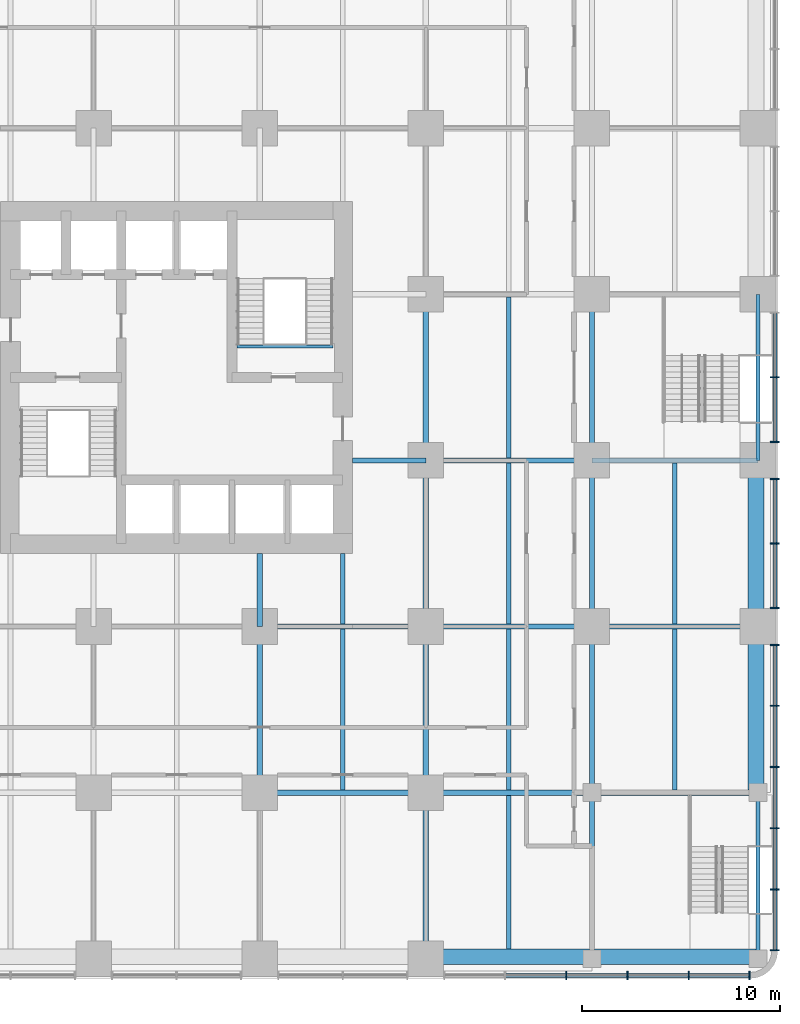
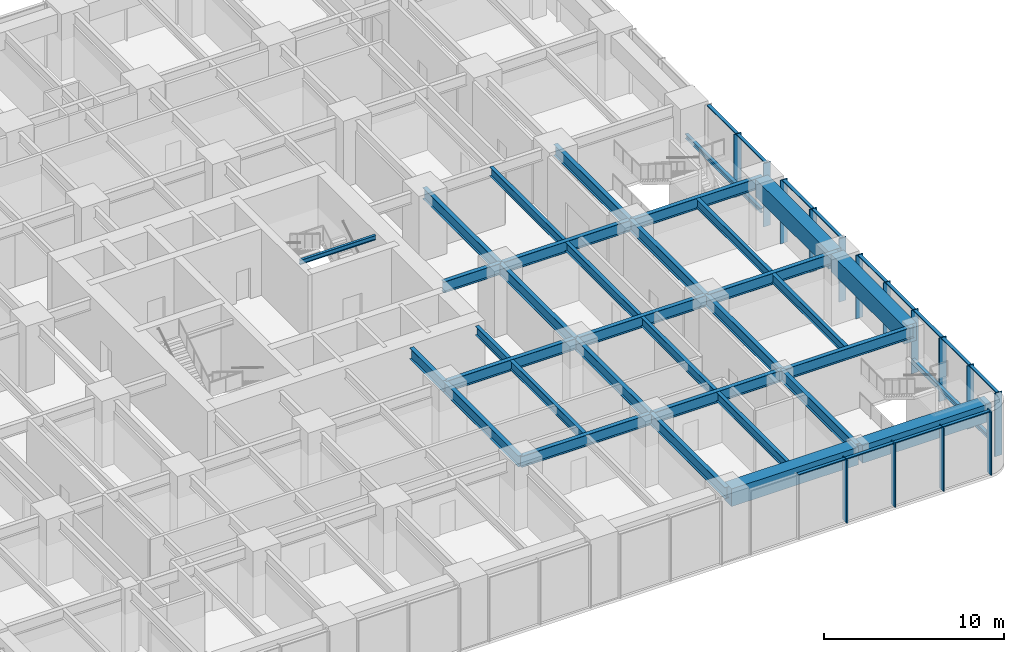
# One storey, part 4 of 17: 34 beams, 28 members, 2 elements without a shape of their own.
"""IFC4 building model written with IfcOpenShell, lengths in metres."""

from ifc_helpers import new_model, si_unit, direction, frame, origin, origin_2d, place, context, subcontext, project, spatial, rectangle, i_section, extrude, material, material_profile, profile_set, type_object, element, aggregate, save


model = new_model("IFC4")

# Units and contexts
model_context = context("Model", 3, precision=1e-05, world=origin(), true_north=direction((0.0, 1.0)))
body_context = subcontext(model_context, "Body", "Model", "MODEL_VIEW")
ifc_project = project(units=[si_unit("LENGTHUNIT", "METRE"), si_unit("AREAUNIT", "SQUARE_METRE"), si_unit("VOLUMEUNIT", "CUBIC_METRE"), si_unit("PLANEANGLEUNIT", "RADIAN"), si_unit("MASSUNIT", "GRAM", prefix="KILO")], contexts=[model_context])

# Site, building, storey
site_placement = place(None, origin())
site = spatial("IfcSite", under=ifc_project, at=site_placement, CompositionType="ELEMENT")
building_placement = place(site_placement, origin())
building = spatial("IfcBuilding", under=site, at=building_placement, Name="Torre Alcanfor", CompositionType="ELEMENT")
storey_placement = place(building_placement, frame((0.0, 0.0, 19.5)))
storey = spatial("IfcBuildingStorey", under=building, at=storey_placement, Name="L04", CompositionType="ELEMENT", Elevation=19.5)

# Curtain wall, members
ifc_material_1 = material(Name="Aluminium and glass", Category="aluminium")
curtain_wall_type = type_object("IfcCurtainWallType", Name="CW-B unitised classroom glazing with vertical FIN", PredefinedType="NOTDEFINED", material=ifc_material_1)
curtain_wall_1_placement = place(storey_placement, origin())
curtain_wall_1 = element("IfcCurtainWall", 1, at=curtain_wall_1_placement, inside=storey, type_object=curtain_wall_type, Name="Curtain wall CW-B L04 1", PredefinedType="NOTDEFINED")
ifc_material_2 = material(Name="Bronze anodised aluminium", Category="aluminium")
ifc_material_profile_1 = material_profile(ifc_material_2, rectangle(XDim=0.449951171875, YDim=0.06494140625, at=origin_2d()), Name="CW-B mullion 65x450")
ifc_profile_set_1 = profile_set([ifc_material_profile_1], Name="Bronze anodised aluminium")
member_type_1 = type_object("IfcMemberType", Name="CW-B mullion with vertical FIN 65x450", PredefinedType="MULLION", material=ifc_profile_set_1)
member_1_placement = place(storey_placement, frame((59.64990234375, 0.4326171875, 0.0), z_axis=(0.0, 0.0, 1.0), x_axis=(-1.0, 0.0, 0.0)))
member_1 = element("IfcMember", 2, at=member_1_placement, type_object=member_type_1, Name="CW-B mullion 1.1", PredefinedType="MULLION", context=body_context, shape_type="SweptSolid", body=[
    extrude(rectangle(XDim=0.449951171875, YDim=0.06494140625, at=origin_2d()), origin(), (0.0, 0.0, 1.0), 4.300048828125),
])
member_2_placement = place(storey_placement, frame((59.64990234375, 3.4990234375, 0.0), z_axis=(0.0, 0.0, 1.0), x_axis=(-1.0, 0.0, 0.0)))
member_2 = element("IfcMember", 3, at=member_2_placement, type_object=member_type_1, Name="CW-B mullion 1.2", PredefinedType="MULLION", context=body_context, shape_type="SweptSolid", body=[
    extrude(rectangle(XDim=0.449951171875, YDim=0.06494140625, at=origin_2d()), origin(), (0.0, 0.0, 1.0), 4.300048828125),
])
member_3_placement = place(storey_placement, frame((59.64990234375, 6.597900390625, 0.0), z_axis=(0.0, 0.0, 1.0), x_axis=(-1.0, 0.0, 0.0)))
member_3 = element("IfcMember", 4, at=member_3_placement, type_object=member_type_1, Name="CW-B mullion 1.3", PredefinedType="MULLION", context=body_context, shape_type="SweptSolid", body=[
    extrude(rectangle(XDim=0.449951171875, YDim=0.06494140625, at=origin_2d()), origin(), (0.0, 0.0, 1.0), 4.300048828125),
])
member_4_placement = place(storey_placement, frame((59.64990234375, 9.697021484375, 0.0), z_axis=(0.0, 0.0, 1.0), x_axis=(-1.0, 0.0, 0.0)))
member_4 = element("IfcMember", 5, at=member_4_placement, type_object=member_type_1, Name="CW-B mullion 1.4", PredefinedType="MULLION", context=body_context, shape_type="SweptSolid", body=[
    extrude(rectangle(XDim=0.449951171875, YDim=0.06494140625, at=origin_2d()), origin(), (0.0, 0.0, 1.0), 4.300048828125),
])
member_5_placement = place(storey_placement, frame((59.64990234375, 12.7958984375, 0.0), z_axis=(0.0, 0.0, 1.0), x_axis=(-1.0, 0.0, 0.0)))
member_5 = element("IfcMember", 6, at=member_5_placement, type_object=member_type_1, Name="CW-B mullion 1.5", PredefinedType="MULLION", context=body_context, shape_type="SweptSolid", body=[
    extrude(rectangle(XDim=0.449951171875, YDim=0.06494140625, at=origin_2d()), origin(), (0.0, 0.0, 1.0), 4.300048828125),
])
member_6_placement = place(storey_placement, frame((59.64990234375, 15.862548828125, 0.0), z_axis=(0.0, 0.0, 1.0), x_axis=(-1.0, 0.0, 0.0)))
member_6 = element("IfcMember", 7, at=member_6_placement, type_object=member_type_1, Name="CW-B mullion 1.6", PredefinedType="MULLION", context=body_context, shape_type="SweptSolid", body=[
    extrude(rectangle(XDim=0.449951171875, YDim=0.06494140625, at=origin_2d()), origin(), (0.0, 0.0, 1.0), 4.300048828125),
])
member_7_placement = place(storey_placement, frame((59.64990234375, 17.737548828125, 0.0), z_axis=(0.0, 0.0, 1.0), x_axis=(-1.0, 0.0, 0.0)))
member_7 = element("IfcMember", 8, at=member_7_placement, type_object=member_type_1, Name="CW-B mullion 2.1", PredefinedType="MULLION", context=body_context, shape_type="SweptSolid", body=[
    extrude(rectangle(XDim=0.449951171875, YDim=0.06494140625, at=origin_2d()), origin(), (0.0, 0.0, 1.0), 4.300048828125),
])
member_8_placement = place(storey_placement, frame((59.64990234375, 21.0, 0.0), z_axis=(0.0, 0.0, 1.0), x_axis=(-1.0, 0.0, 0.0)))
member_8 = element("IfcMember", 9, at=member_8_placement, type_object=member_type_1, Name="CW-B mullion 2.2", PredefinedType="MULLION", context=body_context, shape_type="SweptSolid", body=[
    extrude(rectangle(XDim=0.449951171875, YDim=0.06494140625, at=origin_2d()), origin(), (0.0, 0.0, 1.0), 4.300048828125),
])
member_9_placement = place(storey_placement, frame((59.64990234375, 24.262451171875, 0.0), z_axis=(0.0, 0.0, 1.0), x_axis=(-1.0, 0.0, 0.0)))
member_9 = element("IfcMember", 10, at=member_9_placement, type_object=member_type_1, Name="CW-B mullion 2.3", PredefinedType="MULLION", context=body_context, shape_type="SweptSolid", body=[
    extrude(rectangle(XDim=0.449951171875, YDim=0.06494140625, at=origin_2d()), origin(), (0.0, 0.0, 1.0), 4.300048828125),
])
member_10_placement = place(storey_placement, frame((59.64990234375, 26.137451171875, 0.0), z_axis=(0.0, 0.0, 1.0), x_axis=(-1.0, 0.0, 0.0)))
member_10 = element("IfcMember", 11, at=member_10_placement, type_object=member_type_1, Name="CW-B mullion 3.1", PredefinedType="MULLION", context=body_context, shape_type="SweptSolid", body=[
    extrude(rectangle(XDim=0.449951171875, YDim=0.06494140625, at=origin_2d()), origin(), (0.0, 0.0, 1.0), 4.300048828125),
])
member_11_placement = place(storey_placement, frame((59.64990234375, 29.39990234375, 0.0), z_axis=(0.0, 0.0, 1.0), x_axis=(-1.0, 0.0, 0.0)))
member_11 = element("IfcMember", 12, at=member_11_placement, type_object=member_type_1, Name="CW-B mullion 3.2", PredefinedType="MULLION", context=body_context, shape_type="SweptSolid", body=[
    extrude(rectangle(XDim=0.449951171875, YDim=0.06494140625, at=origin_2d()), origin(), (0.0, 0.0, 1.0), 4.300048828125),
])

curtain_wall_2_placement = place(storey_placement, origin())
curtain_wall_2 = element("IfcCurtainWall", 13, at=curtain_wall_2_placement, inside=storey, type_object=curtain_wall_type, Name="Curtain wall CW-B L04 4", PredefinedType="NOTDEFINED")
member_12_placement = place(storey_placement, frame((49.10302734375, -0.85009765625, 0.0), z_axis=(0.0, 0.0, 1.0), x_axis=(0.0, 1.0, 0.0)))
member_12 = element("IfcMember", 14, at=member_12_placement, type_object=member_type_1, Name="CW-B mullion 5.3", PredefinedType="MULLION", context=body_context, shape_type="SweptSolid", body=[
    extrude(rectangle(XDim=0.449951171875, YDim=0.06494140625, at=origin_2d()), origin(), (0.0, 0.0, 1.0), 4.300048828125),
])
member_13_placement = place(storey_placement, frame((52.201904296875, -0.85009765625, 0.0), z_axis=(0.0, 0.0, 1.0), x_axis=(0.0, 1.0, 0.0)))
member_13 = element("IfcMember", 15, at=member_13_placement, type_object=member_type_1, Name="CW-B mullion 5.4", PredefinedType="MULLION", context=body_context, shape_type="SweptSolid", body=[
    extrude(rectangle(XDim=0.449951171875, YDim=0.06494140625, at=origin_2d()), origin(), (0.0, 0.0, 1.0), 4.300048828125),
])
member_14_placement = place(storey_placement, frame((55.301025390625, -0.85009765625, 0.0), z_axis=(0.0, 0.0, 1.0), x_axis=(0.0, 1.0, 0.0)))
member_14 = element("IfcMember", 16, at=member_14_placement, type_object=member_type_1, Name="CW-B mullion 5.5", PredefinedType="MULLION", context=body_context, shape_type="SweptSolid", body=[
    extrude(rectangle(XDim=0.449951171875, YDim=0.06494140625, at=origin_2d()), origin(), (0.0, 0.0, 1.0), 4.300048828125),
])
member_15_placement = place(storey_placement, frame((58.367431640625, -0.85009765625, 0.0), z_axis=(0.0, 0.0, 1.0), x_axis=(0.0, 1.0, 0.0)))
member_15 = element("IfcMember", 17, at=member_15_placement, type_object=member_type_1, Name="CW-B mullion 5.6", PredefinedType="MULLION", context=body_context, shape_type="SweptSolid", body=[
    extrude(rectangle(XDim=0.449951171875, YDim=0.06494140625, at=origin_2d()), origin(), (0.0, 0.0, 1.0), 4.300048828125),
])

# Member
ifc_material_3 = material(Name="Extruded aluminium", Category="aluminium")
ifc_material_profile_2 = material_profile(ifc_material_3, rectangle(XDim=0.199951171875, YDim=0.06494140625, at=origin_2d()), Name="CW-B transom 200x65")
ifc_profile_set_2 = profile_set([ifc_material_profile_2], Name="Extruded aluminium")
member_type_2 = type_object("IfcMemberType", Name="CW-B transom 65x200", PredefinedType="USERDEFINED", material=ifc_profile_set_2)
member_16_placement = place(storey_placement, frame((59.64990234375, 0.465087890625, 4.267578125), z_axis=(0.0, 1.0, 0.0), x_axis=(-1.0, 0.0, 0.0)))
member_16 = element("IfcMember", 18, at=member_16_placement, type_object=member_type_2, Name="CW-B transom 1.1.2", ObjectType="TRANSOM", PredefinedType="USERDEFINED", context=body_context, shape_type="SweptSolid", body=[
    extrude(rectangle(XDim=0.199951171875, YDim=0.06494140625, at=origin_2d()), origin(), (0.0, 0.0, 1.0), 3.00146484375),
])

member_17_placement = place(storey_placement, frame((59.64990234375, 3.531494140625, 4.267578125), z_axis=(0.0, 1.0, 0.0), x_axis=(-1.0, 0.0, 0.0)))
member_17 = element("IfcMember", 19, at=member_17_placement, type_object=member_type_2, Name="CW-B transom 1.2.2", ObjectType="TRANSOM", PredefinedType="USERDEFINED", context=body_context, shape_type="SweptSolid", body=[
    extrude(rectangle(XDim=0.199951171875, YDim=0.06494140625, at=origin_2d()), origin(), (0.0, 0.0, 1.0), 3.033935546875),
])

member_18_placement = place(storey_placement, frame((59.64990234375, 6.630615234375, 4.267578125), z_axis=(0.0, 1.0, 0.0), x_axis=(-1.0, 0.0, 0.0)))
member_18 = element("IfcMember", 20, at=member_18_placement, type_object=member_type_2, Name="CW-B transom 1.3.2", ObjectType="TRANSOM", PredefinedType="USERDEFINED", context=body_context, shape_type="SweptSolid", body=[
    extrude(rectangle(XDim=0.199951171875, YDim=0.06494140625, at=origin_2d()), origin(), (0.0, 0.0, 1.0), 3.033935546875),
])

member_19_placement = place(storey_placement, frame((59.64990234375, 9.7294921875, 4.267578125), z_axis=(0.0, 1.0, 0.0), x_axis=(-1.0, 0.0, 0.0)))
member_19 = element("IfcMember", 21, at=member_19_placement, type_object=member_type_2, Name="CW-B transom 1.4.2", ObjectType="TRANSOM", PredefinedType="USERDEFINED", context=body_context, shape_type="SweptSolid", body=[
    extrude(rectangle(XDim=0.199951171875, YDim=0.06494140625, at=origin_2d()), origin(), (0.0, 0.0, 1.0), 3.033935546875),
])

member_20_placement = place(storey_placement, frame((59.64990234375, 12.82861328125, 4.267578125), z_axis=(0.0, 1.0, 0.0), x_axis=(-1.0, 0.0, 0.0)))
member_20 = element("IfcMember", 22, at=member_20_placement, type_object=member_type_2, Name="CW-B transom 1.5.2", ObjectType="TRANSOM", PredefinedType="USERDEFINED", context=body_context, shape_type="SweptSolid", body=[
    extrude(rectangle(XDim=0.199951171875, YDim=0.06494140625, at=origin_2d()), origin(), (0.0, 0.0, 1.0), 3.00146484375),
])

member_21_placement = place(storey_placement, frame((59.64990234375, 17.77001953125, 4.267578125), z_axis=(0.0, 1.0, 0.0), x_axis=(-1.0, 0.0, 0.0)))
member_21 = element("IfcMember", 23, at=member_21_placement, type_object=member_type_2, Name="CW-B transom 2.1.2", ObjectType="TRANSOM", PredefinedType="USERDEFINED", context=body_context, shape_type="SweptSolid", body=[
    extrude(rectangle(XDim=0.199951171875, YDim=0.06494140625, at=origin_2d()), origin(), (0.0, 0.0, 1.0), 3.197509765625),
])

member_22_placement = place(storey_placement, frame((59.64990234375, 21.032470703125, 4.267578125), z_axis=(0.0, 1.0, 0.0), x_axis=(-1.0, 0.0, 0.0)))
member_22 = element("IfcMember", 24, at=member_22_placement, type_object=member_type_2, Name="CW-B transom 2.2.2", ObjectType="TRANSOM", PredefinedType="USERDEFINED", context=body_context, shape_type="SweptSolid", body=[
    extrude(rectangle(XDim=0.199951171875, YDim=0.06494140625, at=origin_2d()), origin(), (0.0, 0.0, 1.0), 3.197509765625),
])

member_23_placement = place(storey_placement, frame((59.64990234375, 26.169921875, 4.267578125), z_axis=(0.0, 1.0, 0.0), x_axis=(-1.0, 0.0, 0.0)))
member_23 = element("IfcMember", 25, at=member_23_placement, type_object=member_type_2, Name="CW-B transom 3.1.2", ObjectType="TRANSOM", PredefinedType="USERDEFINED", context=body_context, shape_type="SweptSolid", body=[
    extrude(rectangle(XDim=0.199951171875, YDim=0.06494140625, at=origin_2d()), origin(), (0.0, 0.0, 1.0), 3.197509765625),
])

member_24_placement = place(storey_placement, frame((59.64990234375, 29.4326171875, 4.267578125), z_axis=(0.0, 1.0, 0.0), x_axis=(-1.0, 0.0, 0.0)))
member_24 = element("IfcMember", 26, at=member_24_placement, type_object=member_type_2, Name="CW-B transom 3.2.2", ObjectType="TRANSOM", PredefinedType="USERDEFINED", context=body_context, shape_type="SweptSolid", body=[
    extrude(rectangle(XDim=0.199951171875, YDim=0.06494140625, at=origin_2d()), origin(), (0.0, 0.0, 1.0), 3.197265625),
])

aggregate(curtain_wall_1, [member_1, member_2, member_3, member_4, member_5, member_6, member_16, member_17, member_18, member_19, member_20, member_7, member_8, member_9, member_21, member_22, member_10, member_11, member_23, member_24])

member_25_placement = place(storey_placement, frame((46.03662109375, -0.85009765625, 4.267578125), z_axis=(1.0, 0.0, 0.0), x_axis=(0.0, 1.0, 0.0)))
member_25 = element("IfcMember", 27, at=member_25_placement, type_object=member_type_2, Name="CW-B transom 5.2.2", ObjectType="TRANSOM", PredefinedType="USERDEFINED", context=body_context, shape_type="SweptSolid", body=[
    extrude(rectangle(XDim=0.199951171875, YDim=0.06494140625, at=origin_2d()), origin(), (0.0, 0.0, 1.0), 3.033935546875),
])

member_26_placement = place(storey_placement, frame((49.135498046875, -0.85009765625, 4.267578125), z_axis=(1.0, 0.0, 0.0), x_axis=(0.0, 1.0, 0.0)))
member_26 = element("IfcMember", 28, at=member_26_placement, type_object=member_type_2, Name="CW-B transom 5.3.2", ObjectType="TRANSOM", PredefinedType="USERDEFINED", context=body_context, shape_type="SweptSolid", body=[
    extrude(rectangle(XDim=0.199951171875, YDim=0.06494140625, at=origin_2d()), origin(), (0.0, 0.0, 1.0), 3.033935546875),
])

member_27_placement = place(storey_placement, frame((52.234619140625, -0.85009765625, 4.267578125), z_axis=(1.0, 0.0, 0.0), x_axis=(0.0, 1.0, 0.0)))
member_27 = element("IfcMember", 29, at=member_27_placement, type_object=member_type_2, Name="CW-B transom 5.4.2", ObjectType="TRANSOM", PredefinedType="USERDEFINED", context=body_context, shape_type="SweptSolid", body=[
    extrude(rectangle(XDim=0.199951171875, YDim=0.06494140625, at=origin_2d()), origin(), (0.0, 0.0, 1.0), 3.033935546875),
])

member_28_placement = place(storey_placement, frame((55.33349609375, -0.85009765625, 4.267578125), z_axis=(1.0, 0.0, 0.0), x_axis=(0.0, 1.0, 0.0)))
member_28 = element("IfcMember", 30, at=member_28_placement, type_object=member_type_2, Name="CW-B transom 5.5.2", ObjectType="TRANSOM", PredefinedType="USERDEFINED", context=body_context, shape_type="SweptSolid", body=[
    extrude(rectangle(XDim=0.199951171875, YDim=0.06494140625, at=origin_2d()), origin(), (0.0, 0.0, 1.0), 3.00146484375),
])

aggregate(curtain_wall_2, [member_12, member_13, member_14, member_15, member_25, member_26, member_27, member_28])

# Beams
ifc_material_4 = material(Name="Steel ASTM A992 Grade 50", Category="steel")
ifc_material_profile_3 = material_profile(ifc_material_4, i_section(OverallWidth=0.2666015625, OverallDepth=0.7568359375, WebThickness=0.013916015625, FlangeThickness=0.019287109375, at=origin_2d()), Name="W30x108")
ifc_profile_set_3 = profile_set([ifc_material_profile_3], Name="Steel ASTM A992 Grade 50")
beam_type_1 = type_object("IfcBeamType", Name="Girder W30x108", PredefinedType="BEAM", material=ifc_profile_set_3)
for number, where, z_axis, x_axis, name in (
    (31, (33.60009765625, 8.39990234375, 3.921630859375), (1.0, 0.0, 0.0), (0.0, 1.0, 0.0), "Beam 5D-6D under L05"),
    (32, (42.0, 8.39990234375, 3.921630859375), (1.0, 0.0, 0.0), (0.0, 1.0, 0.0), "Beam 6D-7D under L05"),
):
    element("IfcBeam", number, at=place(storey_placement, frame(where, z_axis=z_axis, x_axis=x_axis)), inside=storey, type_object=beam_type_1, Name=name, PredefinedType="BEAM", context=body_context, shape_type="SweptSolid", body=[
        extrude(i_section(OverallWidth=0.2666015625, OverallDepth=0.7568359375, WebThickness=0.013916015625, FlangeThickness=0.019287109375, at=origin_2d()), origin(), (0.0, 0.0, 1.0), 8.39990234375),
    ])
beam_1_placement = place(storey_placement, frame((50.39990234375, 8.39990234375, 3.921630859375), z_axis=(1.0, 0.0, 0.0), x_axis=(0.0, 1.0, 0.0)))
element("IfcBeam", 33, at=beam_1_placement, inside=storey, type_object=beam_type_1, Name="Beam 7D-8D under L05", PredefinedType="BEAM", context=body_context, shape_type="SweptSolid", body=[
    extrude(i_section(OverallWidth=0.2666015625, OverallDepth=0.7568359375, WebThickness=0.013916015625, FlangeThickness=0.019287109375, at=origin_2d()), origin(), (0.0, 0.0, 1.0), 8.400146484375),
])
for number, where, z_axis, x_axis, name in (
    (34, (33.60009765625, 16.800048828125, 3.921630859375), (1.0, 0.0, 0.0), (0.0, 1.0, 0.0), "Beam 5E-6E under L05"),
    (35, (42.0, 16.800048828125, 3.921630859375), (1.0, 0.0, 0.0), (0.0, 1.0, 0.0), "Beam 6E-7E under L05"),
):
    element("IfcBeam", number, at=place(storey_placement, frame(where, z_axis=z_axis, x_axis=x_axis)), inside=storey, type_object=beam_type_1, Name=name, PredefinedType="BEAM", context=body_context, shape_type="SweptSolid", body=[
        extrude(i_section(OverallWidth=0.2666015625, OverallDepth=0.7568359375, WebThickness=0.013916015625, FlangeThickness=0.019287109375, at=origin_2d()), origin(), (0.0, 0.0, 1.0), 8.39990234375),
    ])
beam_2_placement = place(storey_placement, frame((50.39990234375, 16.800048828125, 3.921630859375), z_axis=(1.0, 0.0, 0.0), x_axis=(0.0, 1.0, 0.0)))
element("IfcBeam", 36, at=beam_2_placement, inside=storey, type_object=beam_type_1, Name="Beam 7E-8E under L05", PredefinedType="BEAM", context=body_context, shape_type="SweptSolid", body=[
    extrude(i_section(OverallWidth=0.2666015625, OverallDepth=0.7568359375, WebThickness=0.013916015625, FlangeThickness=0.019287109375, at=origin_2d()), origin(), (0.0, 0.0, 1.0), 8.400146484375),
])
beam_3_placement = place(storey_placement, frame((42.0, 25.199951171875, 3.921630859375), z_axis=(1.0, 0.0, 0.0), x_axis=(0.0, 1.0, 0.0)))
element("IfcBeam", 37, at=beam_3_placement, inside=storey, type_object=beam_type_1, Name="Beam 6F-7F under L05", PredefinedType="BEAM", context=body_context, shape_type="SweptSolid", body=[
    extrude(i_section(OverallWidth=0.2666015625, OverallDepth=0.7568359375, WebThickness=0.013916015625, FlangeThickness=0.019287109375, at=origin_2d()), origin(), (0.0, 0.0, 1.0), 8.39990234375),
])
for number, where, z_axis, x_axis, name in (
    (38, (50.39990234375, 25.199951171875, 3.921630859375), (1.0, 0.0, 0.0), (0.0, 1.0, 0.0), "Beam 7F-8F under L05"),
    (39, (33.60009765625, 8.39990234375, 3.921630859375), (0.0, 1.0, 0.0), (-1.0, 0.0, 0.0), "Beam 5D-5E under L05"),
):
    element("IfcBeam", number, at=place(storey_placement, frame(where, z_axis=z_axis, x_axis=x_axis)), inside=storey, type_object=beam_type_1, Name=name, PredefinedType="BEAM", context=body_context, shape_type="SweptSolid", body=[
        extrude(i_section(OverallWidth=0.2666015625, OverallDepth=0.7568359375, WebThickness=0.013916015625, FlangeThickness=0.019287109375, at=origin_2d()), origin(), (0.0, 0.0, 1.0), 8.400146484375),
    ])
beam_4_placement = place(storey_placement, frame((42.0, 0.0, 3.921630859375), z_axis=(0.0, 1.0, 0.0), x_axis=(-1.0, 0.0, 0.0)))
element("IfcBeam", 40, at=beam_4_placement, inside=storey, type_object=beam_type_1, Name="Beam 6C-6D under L05", PredefinedType="BEAM", context=body_context, shape_type="SweptSolid", body=[
    extrude(i_section(OverallWidth=0.2666015625, OverallDepth=0.7568359375, WebThickness=0.013916015625, FlangeThickness=0.019287109375, at=origin_2d()), origin(), (0.0, 0.0, 1.0), 8.39990234375),
])
beam_5_placement = place(storey_placement, frame((42.0, 8.39990234375, 3.921630859375), z_axis=(0.0, 1.0, 0.0), x_axis=(-1.0, 0.0, 0.0)))
element("IfcBeam", 41, at=beam_5_placement, inside=storey, type_object=beam_type_1, Name="Beam 6D-6E under L05", PredefinedType="BEAM", context=body_context, shape_type="SweptSolid", body=[
    extrude(i_section(OverallWidth=0.2666015625, OverallDepth=0.7568359375, WebThickness=0.013916015625, FlangeThickness=0.019287109375, at=origin_2d()), origin(), (0.0, 0.0, 1.0), 8.400146484375),
])
beam_6_placement = place(storey_placement, frame((42.0, 16.800048828125, 3.921630859375), z_axis=(0.0, 1.0, 0.0), x_axis=(-1.0, 0.0, 0.0)))
element("IfcBeam", 42, at=beam_6_placement, inside=storey, type_object=beam_type_1, Name="Beam 6E-6F under L05", PredefinedType="BEAM", context=body_context, shape_type="SweptSolid", body=[
    extrude(i_section(OverallWidth=0.2666015625, OverallDepth=0.7568359375, WebThickness=0.013916015625, FlangeThickness=0.019287109375, at=origin_2d()), origin(), (0.0, 0.0, 1.0), 8.39990234375),
])
beam_7_placement = place(storey_placement, frame((42.0, 25.199951171875, 3.921630859375), z_axis=(0.0, 1.0, 0.0), x_axis=(-1.0, 0.0, 0.0)))
element("IfcBeam", 43, at=beam_7_placement, inside=storey, type_object=beam_type_1, Name="Beam 6F-6G under L05", PredefinedType="BEAM", context=body_context, shape_type="SweptSolid", body=[
    extrude(i_section(OverallWidth=0.2666015625, OverallDepth=0.7568359375, WebThickness=0.013916015625, FlangeThickness=0.019287109375, at=origin_2d()), origin(), (0.0, 0.0, 1.0), 8.400146484375),
])
beam_8_placement = place(storey_placement, frame((50.39990234375, 0.0, 3.921630859375), z_axis=(0.0, 1.0, 0.0), x_axis=(-1.0, 0.0, 0.0)))
element("IfcBeam", 44, at=beam_8_placement, inside=storey, type_object=beam_type_1, Name="Beam 7C-7D under L05", PredefinedType="BEAM", context=body_context, shape_type="SweptSolid", body=[
    extrude(i_section(OverallWidth=0.2666015625, OverallDepth=0.7568359375, WebThickness=0.013916015625, FlangeThickness=0.019287109375, at=origin_2d()), origin(), (0.0, 0.0, 1.0), 8.39990234375),
])
beam_9_placement = place(storey_placement, frame((50.39990234375, 8.39990234375, 3.921630859375), z_axis=(0.0, 1.0, 0.0), x_axis=(-1.0, 0.0, 0.0)))
element("IfcBeam", 45, at=beam_9_placement, inside=storey, type_object=beam_type_1, Name="Beam 7D-7E under L05", PredefinedType="BEAM", context=body_context, shape_type="SweptSolid", body=[
    extrude(i_section(OverallWidth=0.2666015625, OverallDepth=0.7568359375, WebThickness=0.013916015625, FlangeThickness=0.019287109375, at=origin_2d()), origin(), (0.0, 0.0, 1.0), 8.400146484375),
])
beam_10_placement = place(storey_placement, frame((50.39990234375, 16.800048828125, 3.921630859375), z_axis=(0.0, 1.0, 0.0), x_axis=(-1.0, 0.0, 0.0)))
element("IfcBeam", 46, at=beam_10_placement, inside=storey, type_object=beam_type_1, Name="Beam 7E-7F under L05", PredefinedType="BEAM", context=body_context, shape_type="SweptSolid", body=[
    extrude(i_section(OverallWidth=0.2666015625, OverallDepth=0.7568359375, WebThickness=0.013916015625, FlangeThickness=0.019287109375, at=origin_2d()), origin(), (0.0, 0.0, 1.0), 8.39990234375),
])
beam_11_placement = place(storey_placement, frame((50.39990234375, 25.199951171875, 3.921630859375), z_axis=(0.0, 1.0, 0.0), x_axis=(-1.0, 0.0, 0.0)))
element("IfcBeam", 47, at=beam_11_placement, inside=storey, type_object=beam_type_1, Name="Beam 7F-7G under L05", PredefinedType="BEAM", context=body_context, shape_type="SweptSolid", body=[
    extrude(i_section(OverallWidth=0.2666015625, OverallDepth=0.7568359375, WebThickness=0.013916015625, FlangeThickness=0.019287109375, at=origin_2d()), origin(), (0.0, 0.0, 1.0), 8.400146484375),
])
ifc_material_5 = material(Name="Steel ASTM A992 Grade 50", Category="steel")
ifc_material_profile_4 = material_profile(ifc_material_5, i_section(OverallWidth=0.2666015625, OverallDepth=0.7568359375, WebThickness=0.013916015625, FlangeThickness=0.019287109375, at=origin_2d()), Name="W30x108")
ifc_profile_set_4 = profile_set([ifc_material_profile_4], Name="Steel ASTM A992 Grade 50")
beam_type_2 = type_object("IfcBeamType", Name="Girder, part bay W30x108", PredefinedType="BEAM", material=ifc_profile_set_4)
for number, where, z_axis, x_axis, name in (
    (48, (33.60009765625, 16.800048828125, 3.921630859375), (0.0, 1.0, 0.0), (-1.0, 0.0, 0.0), "Beam 5E-520_5 under L05"),
    (49, (42.0, 25.199951171875, 3.921630859375), (-1.0, 0.0, 0.0), (0.0, -1.0, 0.0), "Beam 6F-38_3F under L05"),
):
    element("IfcBeam", number, at=place(storey_placement, frame(where, z_axis=z_axis, x_axis=x_axis)), inside=storey, type_object=beam_type_2, Name=name, PredefinedType="BEAM", context=body_context, shape_type="SweptSolid", body=[
        extrude(i_section(OverallWidth=0.2666015625, OverallDepth=0.7568359375, WebThickness=0.013916015625, FlangeThickness=0.019287109375, at=origin_2d()), origin(), (0.0, 0.0, 1.0), 3.699951171875),
    ])
ifc_material_6 = material(Name="Concrete f'c 70 MPa", Category="concrete")
ifc_material_profile_5 = material_profile(ifc_material_6, rectangle(XDim=0.800048828125, YDim=1.199951171875, at=origin_2d()), Name="800x1200")
ifc_profile_set_5 = profile_set([ifc_material_profile_5], Name="Concrete f'c 70 MPa")
beam_type_3 = type_object("IfcBeamType", Name="RC perimeter beam 800x1200", PredefinedType="BEAM", material=ifc_profile_set_5)
beam_12_placement = place(storey_placement, frame((42.133056640625, 0.10009765625, 3.699951171875), z_axis=(1.0, 0.0, 0.0), x_axis=(0.0, 1.0, 0.0)))
element("IfcBeam", 50, at=beam_12_placement, inside=storey, type_object=beam_type_3, Name="Beam 6C-7C under L05", PredefinedType="BEAM", context=body_context, shape_type="SweptSolid", body=[
    extrude(rectangle(XDim=0.800048828125, YDim=1.199951171875, at=origin_2d()), origin(), (0.0, 0.0, 1.0), 8.134033203125),
])
beam_13_placement = place(storey_placement, frame((50.532958984375, 0.10009765625, 3.699951171875), z_axis=(1.0, 0.0, 0.0), x_axis=(0.0, 1.0, 0.0)))
element("IfcBeam", 51, at=beam_13_placement, inside=storey, type_object=beam_type_3, Name="Beam 7C-8C under L05", PredefinedType="BEAM", context=body_context, shape_type="SweptSolid", body=[
    extrude(rectangle(XDim=0.800048828125, YDim=1.199951171875, at=origin_2d()), origin(), (0.0, 0.0, 1.0), 8.26708984375),
])
beam_14_placement = place(storey_placement, frame((58.699951171875, 8.532958984375, 3.699951171875), z_axis=(0.0, 1.0, 0.0), x_axis=(-1.0, 0.0, 0.0)))
element("IfcBeam", 52, at=beam_14_placement, inside=storey, type_object=beam_type_3, Name="Beam 8D-8E under L05", PredefinedType="BEAM", context=body_context, shape_type="SweptSolid", body=[
    extrude(rectangle(XDim=0.800048828125, YDim=1.199951171875, at=origin_2d()), origin(), (0.0, 0.0, 1.0), 8.134033203125),
])
beam_15_placement = place(storey_placement, frame((58.699951171875, 16.93310546875, 3.699951171875), z_axis=(0.0, 1.0, 0.0), x_axis=(-1.0, 0.0, 0.0)))
element("IfcBeam", 53, at=beam_15_placement, inside=storey, type_object=beam_type_3, Name="Beam 8E-8F under L05", PredefinedType="BEAM", context=body_context, shape_type="SweptSolid", body=[
    extrude(rectangle(XDim=0.800048828125, YDim=1.199951171875, at=origin_2d()), origin(), (0.0, 0.0, 1.0), 8.1337890625),
])
ifc_material_7 = material(Name="Steel ASTM A992 Grade 50", Category="steel")
ifc_material_profile_6 = material_profile(ifc_material_7, i_section(OverallWidth=0.203369140625, OverallDepth=0.30224609375, WebThickness=0.007568359375, FlangeThickness=0.01318359375, at=origin_2d()), Name="W12x40")
ifc_profile_set_6 = profile_set([ifc_material_profile_6], Name="Steel ASTM A992 Grade 50")
beam_type_4 = type_object("IfcBeamType", Name="School stair landing beam W12x40", PredefinedType="BEAM", material=ifc_profile_set_6)
beam_16_placement = place(storey_placement, frame((58.800048828125, 25.199951171875, 1.89892578125), z_axis=(0.0, 1.0, 0.0), x_axis=(-1.0, 0.0, 0.0)))
element("IfcBeam", 54, at=beam_16_placement, inside=storey, type_object=beam_type_4, Name="Landing beam SS2 L04", PredefinedType="BEAM", context=body_context, shape_type="SweptSolid", body=[
    extrude(i_section(OverallWidth=0.203369140625, OverallDepth=0.30224609375, WebThickness=0.007568359375, FlangeThickness=0.01318359375, at=origin_2d()), origin(), (0.0, 0.0, 1.0), 8.400146484375),
])
beam_17_placement = place(storey_placement, frame((58.800048828125, 0.0, 1.89892578125), z_axis=(0.0, 1.0, 0.0), x_axis=(-1.0, 0.0, 0.0)))
element("IfcBeam", 55, at=beam_17_placement, inside=storey, type_object=beam_type_4, Name="Landing beam SS3 L04", PredefinedType="BEAM", context=body_context, shape_type="SweptSolid", body=[
    extrude(i_section(OverallWidth=0.203369140625, OverallDepth=0.30224609375, WebThickness=0.007568359375, FlangeThickness=0.01318359375, at=origin_2d()), origin(), (0.0, 0.0, 1.0), 8.39990234375),
])
ifc_material_8 = material(Name="Steel ASTM A992 Grade 50", Category="steel")
ifc_material_profile_7 = material_profile(ifc_material_8, i_section(OverallWidth=0.22900390625, OverallDepth=0.612060546875, WebThickness=0.011962890625, FlangeThickness=0.01953125, at=origin_2d()), Name="W24x84")
ifc_profile_set_7 = profile_set([ifc_material_profile_7], Name="Steel ASTM A992 Grade 50")
beam_type_5 = type_object("IfcBeamType", Name="Secondary beam W24x84", PredefinedType="BEAM", material=ifc_profile_set_7)
beam_18_placement = place(storey_placement, frame((37.800048828125, 8.532958984375, 3.993896484375), z_axis=(0.0, 1.0, 0.0), x_axis=(-1.0, 0.0, 0.0)))
element("IfcBeam", 56, at=beam_18_placement, inside=storey, type_object=beam_type_5, Name="Beam 37_8D-37_8E under L05", PredefinedType="BEAM", context=body_context, shape_type="SweptSolid", body=[
    extrude(i_section(OverallWidth=0.22900390625, OverallDepth=0.612060546875, WebThickness=0.011962890625, FlangeThickness=0.01953125, at=origin_2d()), origin(), (0.0, 0.0, 1.0), 8.134033203125),
])
beam_19_placement = place(storey_placement, frame((46.199951171875, 0.5, 3.993896484375), z_axis=(0.0, 1.0, 0.0), x_axis=(-1.0, 0.0, 0.0)))
element("IfcBeam", 57, at=beam_19_placement, inside=storey, type_object=beam_type_5, Name="Beam 46_2C-46_2D under L05", PredefinedType="BEAM", context=body_context, shape_type="SweptSolid", body=[
    extrude(i_section(OverallWidth=0.22900390625, OverallDepth=0.612060546875, WebThickness=0.011962890625, FlangeThickness=0.01953125, at=origin_2d()), origin(), (0.0, 0.0, 1.0), 7.76708984375),
])
beam_20_placement = place(storey_placement, frame((46.199951171875, 8.532958984375, 3.993896484375), z_axis=(0.0, 1.0, 0.0), x_axis=(-1.0, 0.0, 0.0)))
element("IfcBeam", 58, at=beam_20_placement, inside=storey, type_object=beam_type_5, Name="Beam 46_2D-46_2E under L05", PredefinedType="BEAM", context=body_context, shape_type="SweptSolid", body=[
    extrude(i_section(OverallWidth=0.22900390625, OverallDepth=0.612060546875, WebThickness=0.011962890625, FlangeThickness=0.01953125, at=origin_2d()), origin(), (0.0, 0.0, 1.0), 8.134033203125),
])
beam_21_placement = place(storey_placement, frame((46.199951171875, 16.93310546875, 3.993896484375), z_axis=(0.0, 1.0, 0.0), x_axis=(-1.0, 0.0, 0.0)))
element("IfcBeam", 59, at=beam_21_placement, inside=storey, type_object=beam_type_5, Name="Beam 46_2E-46_2F under L05", PredefinedType="BEAM", context=body_context, shape_type="SweptSolid", body=[
    extrude(i_section(OverallWidth=0.22900390625, OverallDepth=0.612060546875, WebThickness=0.011962890625, FlangeThickness=0.01953125, at=origin_2d()), origin(), (0.0, 0.0, 1.0), 8.1337890625),
])
for number, where, z_axis, x_axis, name in (
    (60, (46.199951171875, 25.3330078125, 3.993896484375), (0.0, 1.0, 0.0), (-1.0, 0.0, 0.0), "Beam 46_2F-46_2G under L05"),
    (61, (54.60009765625, 8.532958984375, 3.993896484375), (0.0, 1.0, 0.0), (-1.0, 0.0, 0.0), "Beam 54_6D-54_6E under L05"),
):
    element("IfcBeam", number, at=place(storey_placement, frame(where, z_axis=z_axis, x_axis=x_axis)), inside=storey, type_object=beam_type_5, Name=name, PredefinedType="BEAM", context=body_context, shape_type="SweptSolid", body=[
        extrude(i_section(OverallWidth=0.22900390625, OverallDepth=0.612060546875, WebThickness=0.011962890625, FlangeThickness=0.01953125, at=origin_2d()), origin(), (0.0, 0.0, 1.0), 8.134033203125),
    ])
beam_22_placement = place(storey_placement, frame((54.60009765625, 16.93310546875, 3.993896484375), z_axis=(0.0, 1.0, 0.0), x_axis=(-1.0, 0.0, 0.0)))
element("IfcBeam", 62, at=beam_22_placement, inside=storey, type_object=beam_type_5, Name="Beam 54_6E-54_6F under L05", PredefinedType="BEAM", context=body_context, shape_type="SweptSolid", body=[
    extrude(i_section(OverallWidth=0.22900390625, OverallDepth=0.612060546875, WebThickness=0.011962890625, FlangeThickness=0.01953125, at=origin_2d()), origin(), (0.0, 0.0, 1.0), 8.1337890625),
])
ifc_material_9 = material(Name="Steel ASTM A992 Grade 50", Category="steel")
ifc_material_profile_8 = material_profile(ifc_material_9, i_section(OverallWidth=0.22900390625, OverallDepth=0.612060546875, WebThickness=0.011962890625, FlangeThickness=0.01953125, at=origin_2d()), Name="W24x84")
ifc_profile_set_8 = profile_set([ifc_material_profile_8], Name="Steel ASTM A992 Grade 50")
beam_type_6 = type_object("IfcBeamType", Name="Secondary beam, part bay W24x84", PredefinedType="BEAM", material=ifc_profile_set_8)
beam_23_placement = place(storey_placement, frame((37.800048828125, 16.93310546875, 3.993896484375), z_axis=(0.0, 1.0, 0.0), x_axis=(-1.0, 0.0, 0.0)))
element("IfcBeam", 63, at=beam_23_placement, inside=storey, type_object=beam_type_6, Name="Beam 37_8E-37_820_5 under L05", PredefinedType="BEAM", context=body_context, shape_type="SweptSolid", body=[
    extrude(i_section(OverallWidth=0.22900390625, OverallDepth=0.612060546875, WebThickness=0.011962890625, FlangeThickness=0.01953125, at=origin_2d()), origin(), (0.0, 0.0, 1.0), 3.56689453125),
])
ifc_material_10 = material(Name="Steel ASTM A992 Grade 50", Category="steel")
ifc_material_profile_9 = material_profile(ifc_material_10, i_section(OverallWidth=0.164794921875, OverallDepth=0.309814453125, WebThickness=0.005859375, FlangeThickness=0.009765625, at=origin_2d()), Name="W12x26")
ifc_profile_set_9 = profile_set([ifc_material_profile_9], Name="Steel ASTM A992 Grade 50")
beam_type_7 = type_object("IfcBeamType", Name="Stair landing beam W12x26", PredefinedType="BEAM", material=ifc_profile_set_9)
beam_24_placement = place(storey_placement, frame((32.449951171875, 30.962646484375, 4.14501953125), z_axis=(1.0, 0.0, 0.0), x_axis=(0.0, 1.0, 0.0)))
element("IfcBeam", 64, at=beam_24_placement, inside=storey, type_object=beam_type_7, Name="Landing trimmer S2 L05", PredefinedType="BEAM", context=body_context, shape_type="SweptSolid", body=[
    extrude(i_section(OverallWidth=0.164794921875, OverallDepth=0.309814453125, WebThickness=0.005859375, FlangeThickness=0.009765625, at=origin_2d()), origin(), (0.0, 0.0, 1.0), 4.85009765625),
])

save(model, "model.ifc")
